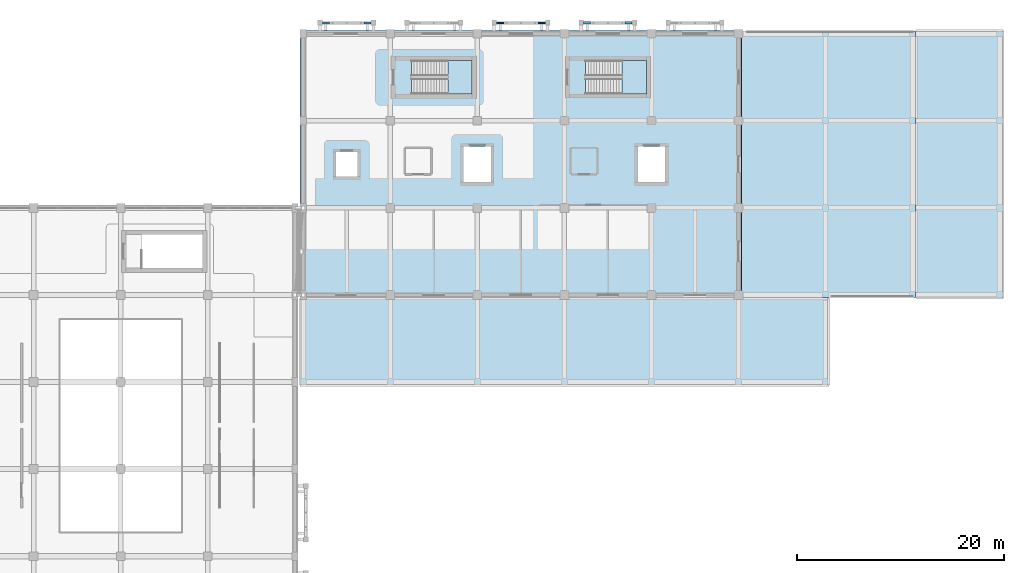
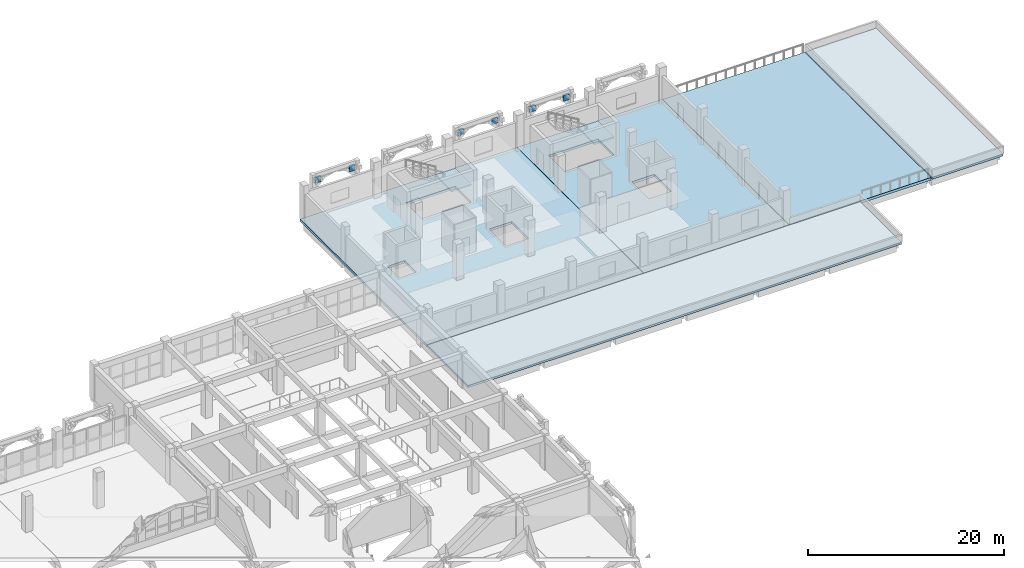
# One storey, part 102 of 129: 7 slabs, 6 plates, 2 elements without a shape of their own.
"""IFC4 building model written with IfcOpenShell, lengths in metres."""

import ifcopenshell
import ifcopenshell.guid

model = None  # the IFC model being written
_history = None  # IfcOwnerHistory: only IFC2X3 demands one
_inside = {}  # id of a spatial element -> (the spatial element, [elements in it])
_under = {}  # id of a project, library or spatial element -> (it, [spatial elements below it])
_declared = {}  # id of a project -> (the project, [libraries it declares])
_typed = {}  # id of a type object -> (the type object, [elements of that type])
_made_of = {}  # id of a material, layer set ... -> (it, [elements and type objects made of it])


def new_model(schema):
    """Start an empty IFC model of exactly this schema.

    Asked for "IFC4X3", IfcOpenShell would pick the latest addendum, in which some entities
    have other attributes; the version numbers below select the first issue.
    IFC2X3 requires an IfcOwnerHistory on every rooted entity: one is made here for all.
    """
    global model, _history
    if schema == "IFC4X3":
        model = ifcopenshell.file(schema_version=(4, 3, 0, 0))
    else:
        model = ifcopenshell.file(schema=schema)
    _inside.clear()
    _under.clear()
    _declared.clear()
    _typed.clear()
    _made_of.clear()
    _history = None
    if model.schema == "IFC2X3":
        org = make("IfcOrganization", Name="unknown")
        user = make(
            "IfcPersonAndOrganization",
            ThePerson=make("IfcPerson", FamilyName="unknown"),
            TheOrganization=org,
        )
        app = make(
            "IfcApplication",
            ApplicationDeveloper=org,
            Version="unknown",
            ApplicationFullName="unknown",
            ApplicationIdentifier="unknown",
        )
        _history = make(
            "IfcOwnerHistory",
            OwningUser=user,
            OwningApplication=app,
            ChangeAction="ADDED",
            CreationDate=0,
        )
    return model


def make(cls, **values):
    """One entity of the class cls with the attributes given. An attribute that is None is left unset."""
    return model.create_entity(
        cls, **{name: value for name, value in values.items() if value is not None}
    )


def rooted(cls, **values):
    """An entity with a GlobalId (a new one), such as an element, a storey or a relation."""
    return make(cls, GlobalId=ifcopenshell.guid.new(), OwnerHistory=_history, **values)


def si_unit(unit_type, name, prefix=None):
    """IfcSIUnit, for example si_unit("LENGTHUNIT", "METRE", prefix="MILLI")."""
    return make("IfcSIUnit", UnitType=unit_type, Prefix=prefix, Name=name)


def assignment(units):
    """IfcUnitAssignment: the units of a project."""
    return None if units is None else make("IfcUnitAssignment", Units=units)


def point(xyz):
    """IfcCartesianPoint."""
    return None if xyz is None else make("IfcCartesianPoint", Coordinates=xyz)


def direction(xyz):
    """IfcDirection."""
    return None if xyz is None else make("IfcDirection", DirectionRatios=xyz)


def frame(location, z_axis=None, x_axis=None):
    """IfcAxis2Placement3D, a coordinate frame: its origin and axes. An axis left out is left unset."""
    return make(
        "IfcAxis2Placement3D",
        Location=point(location),
        Axis=direction(z_axis),
        RefDirection=direction(x_axis),
    )


def frame_2d(location, x_axis=None):
    """IfcAxis2Placement2D, a coordinate frame in the plane: its origin and x axis."""
    return make(
        "IfcAxis2Placement2D", Location=point(location), RefDirection=direction(x_axis)
    )


def origin():
    """The frame at (0, 0, 0) with its axes left unset."""
    return frame((0.0, 0.0, 0.0))


def origin_2d():
    """The frame at (0, 0) in the plane with its x axis left unset."""
    return frame_2d((0.0, 0.0))


def place(relative_to, where):
    """IfcLocalPlacement: puts the frame where relative to a parent placement (None: the world)."""
    return make(
        "IfcLocalPlacement", PlacementRelTo=relative_to, RelativePlacement=where
    )


def context(
    kind, dimensions, precision=None, world=None, true_north=None, identifier=None
):
    """IfcGeometricRepresentationContext, for example the 3D "Model" context."""
    return make(
        "IfcGeometricRepresentationContext",
        ContextIdentifier=identifier,
        ContextType=kind,
        CoordinateSpaceDimension=dimensions,
        Precision=precision,
        WorldCoordinateSystem=world,
        TrueNorth=true_north,
    )


def subcontext(parent, identifier, kind, view, scale=None):
    """IfcGeometricRepresentationSubContext, for example "Body" below "Model"."""
    return make(
        "IfcGeometricRepresentationSubContext",
        ContextIdentifier=identifier,
        ContextType=kind,
        ParentContext=parent,
        TargetScale=scale,
        TargetView=view,
    )


def project(units=None, contexts=None):
    """IfcProject with its units and contexts."""
    return rooted(
        "IfcProject",
        Name="project",
        RepresentationContexts=contexts,
        UnitsInContext=assignment(units),
    )


def spatial(cls, under=None, at=None, **own):
    """A site, building, storey or space (cls), placed at a placement, below another one or the project."""
    s = rooted(cls, ObjectPlacement=at, **own)
    if under is not None:
        _under.setdefault(under.id(), (under, []))[1].append(s)
    return s


def polyline(points):
    """IfcPolyline through the points."""
    return make("IfcPolyline", Points=[point(p) for p in points])


def profile(cls, at=None, kind="AREA", **sizes):
    """A parametric profile (cls). Its sizes go by their IFC names, for example OverallWidth=200.0."""
    return make(cls, ProfileType=kind, Position=at, **sizes)


def rectangle(**sizes):
    """IfcRectangleProfileDef."""
    return profile("IfcRectangleProfileDef", **sizes)


def outline(outer, holes=None, kind="AREA"):
    """IfcArbitraryClosedProfileDef: a profile drawn as a closed curve; with holes, ...WithVoids."""
    if holes is None:
        return make("IfcArbitraryClosedProfileDef", ProfileType=kind, OuterCurve=outer)
    return make(
        "IfcArbitraryProfileDefWithVoids",
        ProfileType=kind,
        OuterCurve=outer,
        InnerCurves=holes,
    )


def extrude(swept, where, along, depth):
    """IfcExtrudedAreaSolid: the profile swept, set in the frame where, extruded along a direction by depth."""
    return make(
        "IfcExtrudedAreaSolid",
        SweptArea=swept,
        Position=where,
        ExtrudedDirection=direction(along),
        Depth=depth,
    )


def shape(context_of_items, identifier, shape_type, items):
    """IfcShapeRepresentation: the items that make up one representation, for example the "Body"."""
    return make(
        "IfcShapeRepresentation",
        ContextOfItems=context_of_items,
        RepresentationIdentifier=identifier,
        RepresentationType=shape_type,
        Items=items,
    )


def material(Name=None, Category=None):
    """IfcMaterial."""
    return make("IfcMaterial", Name=Name, Category=Category)


def layer(
    of_material, thickness, ventilated=None, Name=None, Category=None, Priority=None
):
    """IfcMaterialLayer: one layer of a wall or slab, of a material (None: an air gap)."""
    return make(
        "IfcMaterialLayer",
        Material=of_material,
        LayerThickness=thickness,
        IsVentilated=ventilated,
        Name=Name,
        Category=Category,
        Priority=Priority,
    )


def layer_set(layers, Name=None):
    """IfcMaterialLayerSet."""
    return make("IfcMaterialLayerSet", MaterialLayers=layers, LayerSetName=Name)


def made_of(thing, what):
    """Note that an element or type object is made of a material, layer set ...; save() writes the relation."""
    if what is not None:
        _made_of.setdefault(what.id(), (what, []))[1].append(thing)
    return thing


def type_object(cls, material=None, **own):
    """A type object (cls), such as IfcWallType, which elements share."""
    return made_of(rooted(cls, **own), material)


def element(
    cls,
    number,
    at=None,
    inside=None,
    cuts=None,
    type_object=None,
    material=None,
    context=None,
    identifier="Body",
    shape_type=None,
    held_by="IfcProductDefinitionShape",
    body=None,
    shapes=None,
    **own,
):
    """One element of the class cls, such as IfcWall. Its Tag is "e" and its number.

    at: its placement. inside: the storey or other place that contains it. cuts: it is an
    opening in that element (IfcRelVoidsElement). A single representation is given by context,
    identifier, shape_type and body (its items); several are given by shapes. held_by: the class
    of the entity that holds the representations. save() writes the other relations.
    """
    e = rooted(cls, Tag="e%d" % number, ObjectPlacement=at, **own)
    if body is not None:
        shapes = [shape(context, identifier, shape_type, body)]
    if shapes is not None:
        e.Representation = make(held_by, Representations=shapes)
    if inside is not None:
        _inside.setdefault(inside.id(), (inside, []))[1].append(e)
    if cuts is not None:
        rooted(
            "IfcRelVoidsElement", RelatingBuildingElement=cuts, RelatedOpeningElement=e
        )
    if type_object is not None:
        _typed.setdefault(type_object.id(), (type_object, []))[1].append(e)
    return made_of(e, material)


def aggregate(whole, parts):
    """IfcRelAggregates: a whole, such as a stair, and the parts it consists of."""
    return rooted("IfcRelAggregates", RelatingObject=whole, RelatedObjects=parts)


def save(model, path):
    """Write the relations noted so far, then the file.

    IfcRelAggregates (storeys below a building ...), IfcRelContainedInSpatialStructure (elements
    in a storey), IfcRelDefinesByType, IfcRelAssociatesMaterial and IfcRelDeclares: one each for
    every whole, place, type object, material and project.
    """
    for whole, parts in _under.values():
        aggregate(whole, parts)
    for where, things in _inside.values():
        rooted(
            "IfcRelContainedInSpatialStructure",
            RelatedElements=things,
            RelatingStructure=where,
        )
    for kind, things in _typed.values():
        rooted("IfcRelDefinesByType", RelatedObjects=things, RelatingType=kind)
    for what, things in _made_of.values():
        rooted("IfcRelAssociatesMaterial", RelatedObjects=things, RelatingMaterial=what)
    for by, libraries in _declared.values():
        rooted("IfcRelDeclares", RelatingContext=by, RelatedDefinitions=libraries)
    model.write(path)


model = new_model("IFC4")

# Units and contexts
model_context = context("Model", 3, precision=1e-05, world=origin(), true_north=direction((0.0, 1.0)))
body_context = subcontext(model_context, "Body", "Model", "MODEL_VIEW")
ifc_project = project(units=[si_unit("LENGTHUNIT", "METRE"), si_unit("AREAUNIT", "SQUARE_METRE"), si_unit("VOLUMEUNIT", "CUBIC_METRE"), si_unit("PLANEANGLEUNIT", "RADIAN"), si_unit("MASSUNIT", "GRAM", prefix="KILO")], contexts=[model_context])

# Site, building, storey
site_placement = place(None, origin())
site = spatial("IfcSite", under=ifc_project, at=site_placement, CompositionType="ELEMENT")
building_placement = place(site_placement, origin())
building = spatial("IfcBuilding", under=site, at=building_placement, Name="Xazarin Passage Department Store", CompositionType="ELEMENT")
storey_placement = place(building_placement, frame((0.0, 0.0, 9.89990234375)))
storey = spatial("IfcBuildingStorey", under=building, at=storey_placement, Name="L02", CompositionType="ELEMENT", Elevation=9.89990234375)

# Plates
ifc_material_1 = material(Name="Precast concrete C40/50", Category="concrete")
ifc_layer_1 = layer(ifc_material_1, 0.159912109375)
ifc_layer_set_1 = layer_set([ifc_layer_1], Name="Precast concrete C40/50")
plate_type_1 = type_object("IfcPlateType", Name="ARC-PLT-SCR-09", PredefinedType="USERDEFINED", material=ifc_layer_set_1)
for number, where, z_axis, x_axis, name in (
    (1, (121.39990234375, 111.050048828125, 3.26025390625), (0.0, 0.0, 1.0), (1.0, 0.0, 0.0), "L02 V4 Arch Spandrel Tympanum 0309"),
    (2, (125.39990234375, 111.050048828125, 3.26025390625), (0.0, 0.0, 1.0), (1.0, 0.0, 0.0), "L02 V4 Arch Spandrel Tympanum 0310"),
):
    element("IfcPlate", number, at=place(storey_placement, frame(where, z_axis=z_axis, x_axis=x_axis)), inside=storey, type_object=plate_type_1, Name=name, ObjectType="SCREEN PANEL", PredefinedType="USERDEFINED", context=body_context, shape_type="SweptSolid", body=[
        extrude(rectangle(XDim=0.679931640625, YDim=0.159912109375, at=origin_2d()), origin(), (0.0, 0.0, 1.0), 0.719970703125),
    ])
ifc_layer_2 = layer(ifc_material_1, 0.199951171875)
ifc_layer_set_2 = layer_set([ifc_layer_2], Name="Precast concrete C40/50")
plate_type_2 = type_object("IfcPlateType", Name="ARC-PLT-SCR-13", PredefinedType="USERDEFINED", material=ifc_layer_set_2)
for number, where, z_axis, x_axis, name in (
    (3, (104.60009765625, 111.050048828125, 3.26025390625), (0.0, 0.0, 1.0), (1.0, 0.0, 0.0), "L02 V4 Arch Spandrel Tympanum 0293"),
    (4, (108.60009765625, 111.050048828125, 3.26025390625), (0.0, 0.0, 1.0), (1.0, 0.0, 0.0), "L02 V4 Arch Spandrel Tympanum 0294"),
):
    element("IfcPlate", number, at=place(storey_placement, frame(where, z_axis=z_axis, x_axis=x_axis)), inside=storey, type_object=plate_type_2, Name=name, ObjectType="SCREEN PANEL", PredefinedType="USERDEFINED", context=body_context, shape_type="SweptSolid", body=[
        extrude(rectangle(XDim=0.679931640625, YDim=0.199951171875, at=origin_2d()), origin(), (0.0, 0.0, 1.0), 0.719970703125),
    ])
ifc_layer_3 = layer(ifc_material_1, 0.239990234375)
ifc_layer_set_3 = layer_set([ifc_layer_3], Name="Precast concrete C40/50")
plate_type_3 = type_object("IfcPlateType", Name="ARC-PLT-SCR-17", PredefinedType="USERDEFINED", material=ifc_layer_set_3)
for number, where, z_axis, x_axis, name in (
    (5, (129.800048828125, 111.050048828125, 3.26025390625), (0.0, 0.0, 1.0), (1.0, 0.0, 0.0), "L02 V4 Arch Spandrel Tympanum 0317"),
    (6, (133.800048828125, 111.050048828125, 3.26025390625), (0.0, 0.0, 1.0), (1.0, 0.0, 0.0), "L02 V4 Arch Spandrel Tympanum 0318"),
):
    element("IfcPlate", number, at=place(storey_placement, frame(where, z_axis=z_axis, x_axis=x_axis)), inside=storey, type_object=plate_type_3, Name=name, ObjectType="SCREEN PANEL", PredefinedType="USERDEFINED", context=body_context, shape_type="SweptSolid", body=[
        extrude(rectangle(XDim=0.679931640625, YDim=0.239990234375, at=origin_2d()), origin(), (0.0, 0.0, 1.0), 0.719970703125),
    ])

# Slabs
ifc_material_2 = material(Name="Concrete C35/45", Category="concrete")
ifc_layer_4 = layer(ifc_material_2, 0.300048828125)
ifc_layer_set_4 = layer_set([ifc_layer_4], Name="Concrete C35/45")
slab_type_1 = type_object("IfcSlabType", Name="STR-SLB-FLR300", PredefinedType="FLOOR", material=ifc_layer_set_4)
slab_1_placement = place(storey_placement, frame((0.0, 0.0, -0.2998046875)))
element("IfcSlab", 7, at=slab_1_placement, inside=storey, type_object=slab_type_1, Name="L02 V4 Suspended Floor Slab Bay 1", PredefinedType="FLOOR", context=body_context, shape_type="SweptSolid", body=[
    extrude(outline(polyline([(102.10009765625, 84.5), (127.590087890625, 84.5), (127.590087890625, 110.300048828125), (102.10009765625, 110.300048828125), (102.10009765625, 84.5)]), holes=[polyline([(117.8798828125, 95.679931640625), (117.8798828125, 99.1201171875), (120.52001953125, 99.1201171875), (120.52001953125, 95.679931640625), (117.8798828125, 95.679931640625)]), polyline([(118.699951171875, 107.419921875), (118.699951171875, 104.179931640625), (112.85205078125, 104.179931640625), (112.85205078125, 107.419921875), (118.699951171875, 107.419921875)]), polyline([(105.580078125, 96.22998046875), (105.580078125, 98.570068359375), (107.6201171875, 98.570068359375), (107.6201171875, 96.22998046875), (105.580078125, 96.22998046875)])]), origin(), (0.0, 0.0, 1.0), 0.2998046875),
])
slab_2_placement = place(storey_placement, frame((0.0, 0.0, -0.2998046875)))
element("IfcSlab", 8, at=slab_2_placement, inside=storey, type_object=slab_type_1, Name="L02 V4 Suspended Floor Slab Bay 2", PredefinedType="FLOOR", context=body_context, shape_type="SweptSolid", body=[
    extrude(outline(polyline([(127.610107421875, 110.300048828125), (127.610107421875, 84.5), (144.699951171875, 84.5), (144.699951171875, 110.300048828125), (127.610107421875, 110.300048828125)]), holes=[polyline([(134.679931640625, 95.679931640625), (134.679931640625, 99.1201171875), (137.320068359375, 99.1201171875), (137.320068359375, 95.679931640625), (134.679931640625, 95.679931640625)]), polyline([(135.5, 107.419921875), (135.5, 104.179931640625), (129.652099609375, 104.179931640625), (129.652099609375, 107.419921875), (135.5, 107.419921875)])]), origin(), (0.0, 0.0, 1.0), 0.2998046875),
])

# Stair, slab
stair_type = type_object("IfcStairType", Name="ARC-ST-TYP", PredefinedType="HALF_TURN_STAIR", material=ifc_material_2)
stair_1_placement = place(storey_placement, origin())
stair_1 = element("IfcStair", 9, at=stair_1_placement, inside=storey, type_object=stair_type, Name="L02 Exit Stair ST10", PredefinedType="HALF_TURN_STAIR")
ifc_layer_5 = layer(ifc_material_2, 0.199951171875)
ifc_layer_set_5 = layer_set([ifc_layer_5], Name="Concrete C35/45")
slab_type_2 = type_object("IfcSlabType", Name="STR-SLB-LND200", PredefinedType="LANDING", material=ifc_layer_set_5)
slab_3_placement = place(storey_placement, frame((0.0, 0.0, 2.050048828125)))
slab_3 = element("IfcSlab", 10, at=slab_3_placement, type_object=slab_type_2, Name="ST10 landing 1", PredefinedType="LANDING", context=body_context, shape_type="SweptSolid", body=[
    extrude(outline(polyline([(116.35009765625, 104.179931640625), (118.699951171875, 104.179931640625), (118.699951171875, 107.419921875), (116.35009765625, 107.419921875), (116.35009765625, 104.179931640625)])), origin(), (0.0, 0.0, 1.0), 0.199951171875),
])
aggregate(stair_1, [slab_3])

stair_2_placement = place(storey_placement, origin())
stair_2 = element("IfcStair", 11, at=stair_2_placement, inside=storey, type_object=stair_type, Name="L02 Exit Stair ST11", PredefinedType="HALF_TURN_STAIR")
slab_4_placement = place(storey_placement, frame((0.0, 0.0, 2.050048828125)))
slab_4 = element("IfcSlab", 12, at=slab_4_placement, type_object=slab_type_2, Name="ST11 landing 1", PredefinedType="LANDING", context=body_context, shape_type="SweptSolid", body=[
    extrude(outline(polyline([(133.14990234375, 104.179931640625), (135.5, 104.179931640625), (135.5, 107.419921875), (133.14990234375, 107.419921875), (133.14990234375, 104.179931640625)])), origin(), (0.0, 0.0, 1.0), 0.199951171875),
])
aggregate(stair_2, [slab_4])

# Slabs
ifc_layer_6 = layer(ifc_material_2, 0.260009765625)
ifc_layer_set_6 = layer_set([ifc_layer_6], Name="Concrete C35/45")
slab_type_3 = type_object("IfcSlabType", Name="STR-SLB-RF260", PredefinedType="ROOF", material=ifc_layer_set_6)
slab_5_placement = place(storey_placement, frame((0.0, 0.0, -0.260009765625)))
element("IfcSlab", 13, at=slab_5_placement, inside=storey, type_object=slab_type_3, Name="L02 V4 Setback Roof Slab 1", PredefinedType="ROOF", context=body_context, shape_type="SweptSolid", body=[
    extrude(outline(polyline([(102.10009765625, 76.10009765625), (153.10009765625, 76.10009765625), (153.10009765625, 84.449951171875), (144.699951171875, 84.449951171875), (144.050048828125, 84.449951171875), (102.10009765625, 84.449951171875), (102.10009765625, 76.10009765625)])), origin(), (0.0, 0.0, 1.0), 0.260009765625),
])
slab_6_placement = place(storey_placement, frame((0.0, 0.0, -0.260009765625)))
element("IfcSlab", 14, at=slab_6_placement, inside=storey, type_object=slab_type_3, Name="L02 V4 Setback Roof Slab 2", PredefinedType="ROOF", context=body_context, shape_type="SweptSolid", body=[
    extrude(outline(polyline([(161.550048828125, 110.300048828125), (161.550048828125, 84.5), (169.89990234375, 84.5), (169.89990234375, 110.300048828125), (161.550048828125, 110.300048828125)])), origin(), (0.0, 0.0, 1.0), 0.260009765625),
])
ifc_layer_7 = layer(ifc_material_2, 0.340087890625)
ifc_layer_set_7 = layer_set([ifc_layer_7], Name="Concrete C35/45")
slab_type_4 = type_object("IfcSlabType", Name="STR-SLB-TER340", PredefinedType="FLOOR", material=ifc_layer_set_7)
slab_7_placement = place(storey_placement, frame((0.0, 0.0, -0.33984375)))
element("IfcSlab", 15, at=slab_7_placement, inside=storey, type_object=slab_type_4, Name="L02 V4 Planted Roof Terrace Slab", PredefinedType="FLOOR", context=body_context, shape_type="SweptSolid", body=[
    extrude(outline(polyline([(144.705078125, 110.25), (144.705078125, 84.550048828125), (161.449951171875, 84.550048828125), (161.449951171875, 110.25), (144.705078125, 110.25)])), origin(), (0.0, 0.0, 1.0), 0.33984375),
])

save(model, "model.ifc")
